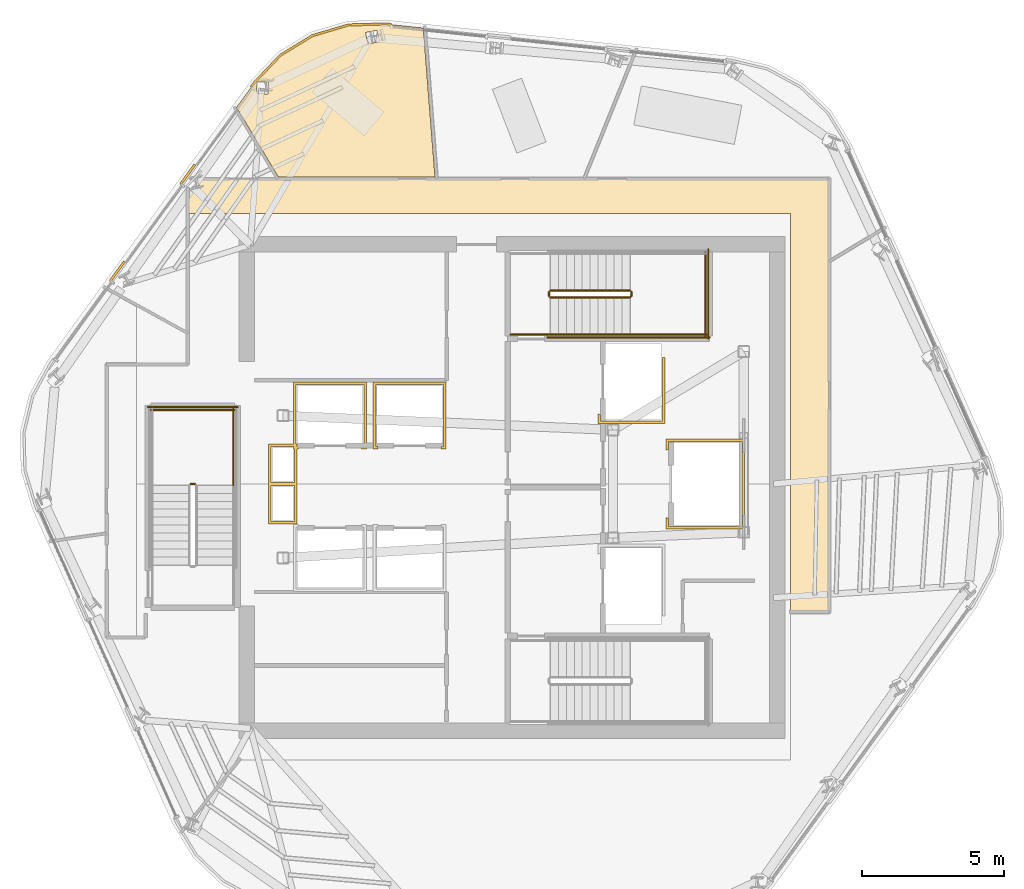
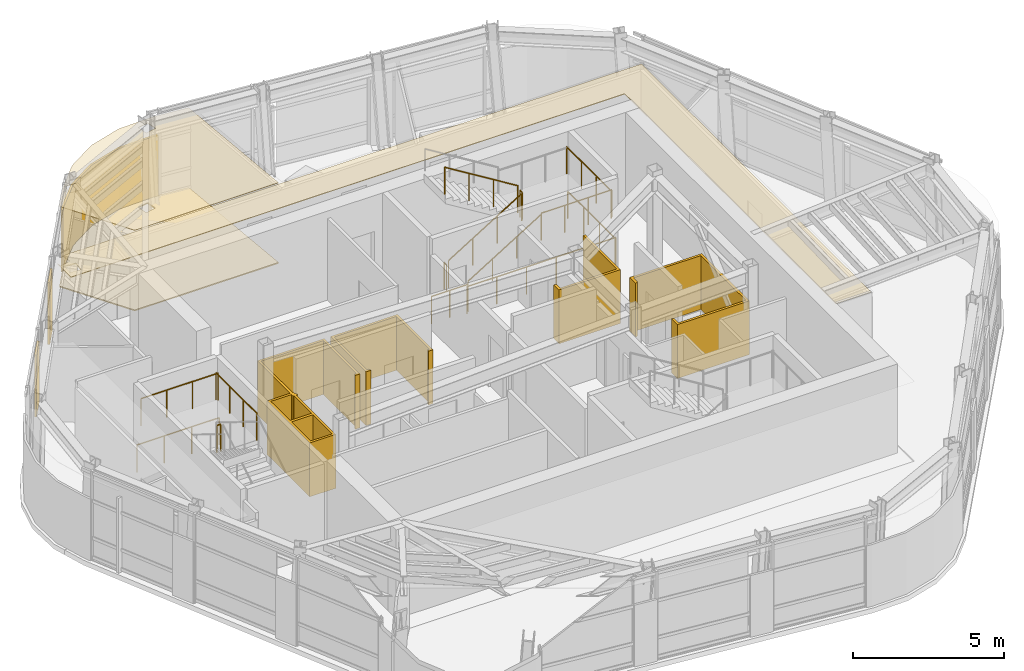
# One storey, part 10 of 12: 14 railings, 10 coverings.
"""IFC4 building model written with IfcOpenShell, lengths in metres."""

from ifc_helpers import new_model, si_unit, direction, frame, origin, origin_2d, place, context, subcontext, project, spatial, polyline, circle, outline, extrude, material, layer, layer_set, type_object, element, save


model = new_model("IFC4")

# Units and contexts
model_context = context("Model", 3, precision=1e-05, world=origin(), true_north=direction((0.0, 1.0)))
body_context = subcontext(model_context, "Body", "Model", "MODEL_VIEW")
ifc_project = project(units=[si_unit("LENGTHUNIT", "METRE"), si_unit("AREAUNIT", "SQUARE_METRE"), si_unit("VOLUMEUNIT", "CUBIC_METRE"), si_unit("PLANEANGLEUNIT", "RADIAN"), si_unit("MASSUNIT", "GRAM", prefix="KILO")], contexts=[model_context])

# Site, building, storey
site_placement = place(None, origin())
site = spatial("IfcSite", under=ifc_project, at=site_placement, CompositionType="ELEMENT")
building_placement = place(site_placement, origin())
building = spatial("IfcBuilding", under=site, at=building_placement, Name="Valkerne Bourse Tower", CompositionType="ELEMENT")
storey_placement = place(building_placement, frame((0.0, 0.0, 258.39990234375)))
storey = spatial("IfcBuildingStorey", under=building, at=storey_placement, Name="L65", CompositionType="ELEMENT", Elevation=258.39990234375)

# Coverings
ifc_material_1 = material(Name="Mineral Fiber Acoustic Ceiling Tile", Category="acoustic")
ifc_layer_1 = layer(ifc_material_1, 0.02490234375)
ifc_layer_set_1 = layer_set([ifc_layer_1], Name="Mineral Fiber Acoustic Ceiling Tile")
covering_type_1 = type_object("IfcCoveringType", Name="COV-CEIL-ACT", PredefinedType="CEILING", material=ifc_layer_set_1)
covering_1_placement = place(storey_placement, frame((0.0, 0.0, 3.25)))
element("IfcCovering", 1, at=covering_1_placement, inside=storey, type_object=covering_type_1, Name="L65 Suspended Ceiling 05", PredefinedType="CEILING", context=body_context, shape_type="SweptSolid", body=[
    extrude(outline(polyline([(39.78369140625, 42.7587890625), (41.048828125, 43.1337890625), (42.37744140625, 43.16845703125), (43.67919921875, 43.03173828125), (44.091796875, 37.7890625), (38.586181640625, 37.7890625), (37.114013671875, 40.239013671875), (37.74365234375, 41.10546875), (38.65869140625, 42.069580078125), (39.78369140625, 42.7587890625)]), holes=[polyline([(38.218994140625, 40.71044921875), (38.247802734375, 41.115966796875), (37.84033203125, 41.145751953125), (37.838134765625, 41.14453125), (37.8095703125, 40.739013671875), (38.217041015625, 40.709228515625), (38.218994140625, 40.71044921875)]), polyline([(42.132080078125, 42.549072265625), (42.0537109375, 42.95068359375), (41.655517578125, 42.873291015625), (41.653076171875, 42.87255859375), (41.7314453125, 42.470703125), (42.1298828125, 42.54833984375), (42.132080078125, 42.549072265625)])]), origin(), (0.0, 0.0, 1.0), 0.025146484375),
])
ifc_material_2 = material(Name="Bronze Anodised Aluminium AA 6063-T6", Category="aluminium")
ifc_layer_2 = layer(ifc_material_2, 0.030029296875)
ifc_layer_set_2 = layer_set([ifc_layer_2], Name="Bronze Anodised Aluminium AA 6063-T6")
covering_type_2 = type_object("IfcCoveringType", Name="COV-CEIL-METAL", PredefinedType="CEILING", material=ifc_layer_set_2)
covering_2_placement = place(storey_placement, frame((0.0, 0.0, 3.25)))
element("IfcCovering", 2, at=covering_2_placement, inside=storey, type_object=covering_type_2, Name="L65 Suspended Ceiling 01", PredefinedType="CEILING", context=body_context, shape_type="SweptSolid", body=[
    extrude(outline(polyline([(35.404052734375, 37.414306640625), (35.43505859375, 37.2490234375), (35.8369140625, 37.323486328125), (35.83837890625, 37.3251953125), (35.76513671875, 37.716064453125), (57.946044921875, 37.716064453125), (57.946044921875, 22.50390625), (56.60009765625, 22.50390625), (56.60009765625, 36.5), (35.404052734375, 36.5), (35.404052734375, 37.414306640625)])), origin(), (0.0, 0.0, 1.0), 0.025146484375),
])
ifc_layer_3 = layer(ifc_material_2, 0.06005859375)
ifc_layer_set_3 = layer_set([ifc_layer_3], Name="Bronze Anodised Aluminium AA 6063-T6")
covering_type_3 = type_object("IfcCoveringType", Name="COV-CRN-ALUM", PredefinedType="CLADDING", material=ifc_layer_set_3)
covering_3_placement = place(storey_placement, origin())
element("IfcCovering", 3, at=covering_3_placement, inside=storey, type_object=covering_type_3, Name="L65 Wind-Shaped Corner Aluminium Cladding 11", PredefinedType="CLADDING", context=body_context, shape_type="SweptSolid", body=[
    extrude(outline(polyline([(33.138427734375, 34.841796875), (33.203125, 34.794677734375), (32.70947265625, 34.114990234375), (32.644775390625, 34.162109375), (33.138427734375, 34.841796875)])), origin(), (0.0, 0.0, 1.0), 2.5),
])
covering_4_placement = place(storey_placement, origin())
element("IfcCovering", 4, at=covering_4_placement, inside=storey, type_object=covering_type_3, Name="L65 Wind-Shaped Corner Aluminium Cladding 12", PredefinedType="CLADDING", context=body_context, shape_type="SweptSolid", body=[
    extrude(outline(polyline([(35.6142578125, 38.249267578125), (35.678955078125, 38.2021484375), (35.185302734375, 37.522705078125), (35.12060546875, 37.569580078125), (35.6142578125, 38.249267578125)])), origin(), (0.0, 0.0, 1.0), 2.5),
])
covering_5_placement = place(storey_placement, origin())
element("IfcCovering", 5, at=covering_5_placement, inside=storey, type_object=covering_type_3, Name="L65 Wind-Shaped Corner Aluminium Cladding 13", PredefinedType="CLADDING", context=body_context, shape_type="SweptSolid", body=[
    extrude(outline(polyline([(37.709716796875, 41.133544921875), (38.630615234375, 42.10400390625), (39.765625, 42.799560546875), (41.0419921875, 43.177490234375), (42.37939453125, 43.212646484375), (42.5712890625, 43.1923828125), (42.56298828125, 43.11279296875), (42.376220703125, 43.132568359375), (41.0546875, 43.097900390625), (39.79833984375, 42.7255859375), (38.681396484375, 42.041259765625), (37.771484375, 41.08251953125), (37.660888671875, 40.930419921875), (37.59619140625, 40.977294921875), (37.709716796875, 41.133544921875)])), origin(), (0.0, 0.0, 1.0), 2.5),
])
ifc_material_3 = material(Name="Galvanised Painted Steel", Category="steel")
ifc_layer_4 = layer(ifc_material_3, 0.044921875)
ifc_layer_set_4 = layer_set([ifc_layer_4], Name="Galvanised Painted Steel")
covering_type_4 = type_object("IfcCoveringType", Name="COV-FLR-RAF", PredefinedType="FLOORING", material=ifc_layer_set_4)
covering_6_placement = place(storey_placement, origin())
element("IfcCovering", 6, at=covering_6_placement, inside=storey, type_object=covering_type_4, Name="L65 Floor Finish 05", PredefinedType="FLOORING", context=body_context, shape_type="SweptSolid", body=[
    extrude(outline(polyline([(39.78369140625, 42.7587890625), (41.048828125, 43.1337890625), (42.37744140625, 43.16845703125), (43.67919921875, 43.03173828125), (44.091796875, 37.7890625), (38.586181640625, 37.7890625), (37.114013671875, 40.239013671875), (37.74365234375, 41.10546875), (38.65869140625, 42.069580078125), (39.78369140625, 42.7587890625)]), holes=[polyline([(38.218994140625, 40.71044921875), (38.247802734375, 41.115966796875), (37.84033203125, 41.145751953125), (37.838134765625, 41.14453125), (37.8095703125, 40.739013671875), (38.217041015625, 40.709228515625), (38.218994140625, 40.71044921875)]), polyline([(42.132080078125, 42.549072265625), (42.0537109375, 42.95068359375), (41.655517578125, 42.873291015625), (41.653076171875, 42.87255859375), (41.7314453125, 42.470703125), (42.1298828125, 42.54833984375), (42.132080078125, 42.549072265625)])]), origin(), (0.0, 0.0, 1.0), 0.045166015625),
])
ifc_material_4 = material(Name="Gypsum Shaftwall Liner Board", Category="gypsum")
ifc_layer_5 = layer(ifc_material_4, 0.080078125)
ifc_layer_set_5 = layer_set([ifc_layer_5], Name="Gypsum Shaftwall Liner Board")
covering_type_5 = type_object("IfcCoveringType", Name="COV-SHF-CLAD", PredefinedType="CLADDING", material=ifc_layer_set_5)
covering_7_placement = place(storey_placement, origin())
element("IfcCovering", 7, at=covering_7_placement, inside=storey, type_object=covering_type_5, Name="L65 Hoistway & Riser Shaftwall Liner 04", PredefinedType="CLADDING", context=body_context, shape_type="SweptSolid", body=[
    extrude(outline(polyline([(38.239990234375, 27.0400390625), (38.239990234375, 28.409912109375), (39.1201171875, 28.409912109375), (39.1201171875, 30.580078125), (41.679931640625, 30.580078125), (41.679931640625, 28.219970703125), (41.500732421875, 28.219970703125), (41.511474609375, 28.26220703125), (41.517822265625, 28.305908203125), (41.51806640625, 28.31005859375), (41.590087890625, 28.31005859375), (41.590087890625, 30.489990234375), (39.2099609375, 30.489990234375), (39.2099609375, 28.409912109375), (39.239990234375, 28.409912109375), (39.239990234375, 28.31005859375), (39.281982421875, 28.31005859375), (39.2822265625, 28.305908203125), (39.28857421875, 28.26220703125), (39.29931640625, 28.219970703125), (39.239990234375, 28.219970703125), (39.239990234375, 27.0400390625), (39.239990234375, 26.9599609375), (39.239990234375, 25.590087890625), (38.239990234375, 25.590087890625), (38.239990234375, 26.9599609375), (38.239990234375, 27.0400390625)]), holes=[polyline([(39.14990234375, 26.949951171875), (38.330078125, 26.949951171875), (38.330078125, 25.679931640625), (39.14990234375, 25.679931640625), (39.14990234375, 26.949951171875)]), polyline([(39.14990234375, 28.219970703125), (39.1201171875, 28.219970703125), (39.1201171875, 28.320068359375), (38.330078125, 28.320068359375), (38.330078125, 27.050048828125), (39.14990234375, 27.050048828125), (39.14990234375, 28.219970703125)])]), origin(), (0.0, 0.0, 1.0), 2.18017578125),
])
covering_8_placement = place(storey_placement, origin())
element("IfcCovering", 8, at=covering_8_placement, inside=storey, type_object=covering_type_5, Name="L65 Hoistway & Riser Shaftwall Liner 05", PredefinedType="CLADDING", context=body_context, shape_type="SweptSolid", body=[
    extrude(outline(polyline([(54.97998046875, 28.580078125), (54.97998046875, 25.419921875), (52.219970703125, 25.419921875), (52.219970703125, 25.81787109375), (52.227783203125, 25.814208984375), (52.269287109375, 25.79931640625), (52.31005859375, 25.789306640625), (52.31005859375, 25.510009765625), (54.889892578125, 25.510009765625), (54.889892578125, 28.489990234375), (52.31005859375, 28.489990234375), (52.31005859375, 28.210693359375), (52.269287109375, 28.20068359375), (52.227783203125, 28.185791015625), (52.219970703125, 28.18212890625), (52.219970703125, 28.580078125), (54.97998046875, 28.580078125)])), origin(), (0.0, 0.0, 1.0), 2.18017578125),
])
covering_9_placement = place(storey_placement, origin())
element("IfcCovering", 9, at=covering_9_placement, inside=storey, type_object=covering_type_5, Name="L65 Hoistway & Riser Shaftwall Liner 06", PredefinedType="CLADDING", context=body_context, shape_type="SweptSolid", body=[
    extrude(outline(polyline([(44.47998046875, 28.219970703125), (44.30078125, 28.219970703125), (44.311279296875, 28.26220703125), (44.31787109375, 28.305908203125), (44.318115234375, 28.31005859375), (44.389892578125, 28.31005859375), (44.389892578125, 30.489990234375), (42.010009765625, 30.489990234375), (42.010009765625, 28.31005859375), (42.08203125, 28.31005859375), (42.082275390625, 28.305908203125), (42.088623046875, 28.26220703125), (42.09912109375, 28.219970703125), (41.919921875, 28.219970703125), (41.919921875, 30.580078125), (44.47998046875, 30.580078125), (44.47998046875, 28.219970703125)])), origin(), (0.0, 0.0, 1.0), 2.18017578125),
])
covering_10_placement = place(storey_placement, origin())
element("IfcCovering", 10, at=covering_10_placement, inside=storey, type_object=covering_type_5, Name="L65 Hoistway & Riser Shaftwall Liner 07", PredefinedType="CLADDING", context=body_context, shape_type="SweptSolid", body=[
    extrude(outline(polyline([(49.820068359375, 29.1201171875), (49.820068359375, 29.468017578125), (49.827880859375, 29.46435546875), (49.869384765625, 29.449462890625), (49.909912109375, 29.439208984375), (49.909912109375, 29.2099609375), (52.090087890625, 29.2099609375), (52.090087890625, 31.449951171875), (52.179931640625, 31.449951171875), (52.179931640625, 29.1201171875), (49.820068359375, 29.1201171875)])), origin(), (0.0, 0.0, 1.0), 2.18017578125),
])

# Railings
railing_type_1 = type_object("IfcRailingType", Name="RLG-ST-GUARD-1120", PredefinedType="GUARDRAIL", material=ifc_material_3)
railing_1_placement = place(storey_placement, frame((48.14990234375, 33.550048828125, 0.1728515625)))
element("IfcRailing", 11, at=railing_1_placement, inside=storey, type_object=railing_type_1, Name="L65 ST-2 stair guard 1", PredefinedType="GUARDRAIL", context=body_context, shape_type="SweptSolid", body=[
    extrude(circle(Radius=0.02392578125, at=origin_2d()), frame((0.0, 0.0, 1.09619140625), z_axis=(0.851089632645, 0.0, 0.525020415988), x_axis=(0.0, 1.0, 0.0)), (0.0, 0.0, 1.0), 3.2900390625),
    extrude(circle(Radius=0.02099609375, at=origin_2d()), origin(), (0.0, 0.0, 1.0), 1.072021484375),
    extrude(circle(Radius=0.02099609375, at=origin_2d()), frame((0.933349609375, 0.0, 0.57568359375)), (0.0, 0.0, 1.0), 1.072021484375),
    extrude(circle(Radius=0.02099609375, at=origin_2d()), frame((1.86669921875, 0.0, 1.151611328125)), (0.0, 0.0, 1.0), 1.072021484375),
    extrude(circle(Radius=0.02099609375, at=origin_2d()), frame((2.800048828125, 0.0, 1.727294921875)), (0.0, 0.0, 1.0), 1.072021484375),
])
railing_2_placement = place(storey_placement, frame((51.0, 33.60009765625, 1.900146484375)))
element("IfcRailing", 12, at=railing_2_placement, inside=storey, type_object=railing_type_1, Name="L65 ST-2 stair guard 2", PredefinedType="GUARDRAIL", context=body_context, shape_type="SweptSolid", body=[
    extrude(circle(Radius=0.02392578125, at=origin_2d()), frame((0.0, 0.0, 1.09619140625), z_axis=(0.0, 1.0, 0.0), x_axis=(-1.0, 0.0, 0.0)), (0.0, 0.0, 1.0), 0.14990234375),
    extrude(circle(Radius=0.02099609375, at=origin_2d()), origin(), (0.0, 0.0, 1.0), 1.072021484375),
    extrude(circle(Radius=0.02099609375, at=origin_2d()), frame((0.0, 0.14990234375, 0.0)), (0.0, 0.0, 1.0), 1.072021484375),
])
railing_3_placement = place(storey_placement, frame((50.949951171875, 32.25, 1.900146484375)))
element("IfcRailing", 13, at=railing_3_placement, inside=storey, type_object=railing_type_1, Name="L65 ST-2 stair guard 3", PredefinedType="GUARDRAIL", context=body_context, shape_type="SweptSolid", body=[
    extrude(circle(Radius=0.02392578125, at=origin_2d()), frame((0.0, 0.0, 1.09619140625), z_axis=(1.0, 0.0, 0.0), x_axis=(0.0, 1.0, 0.0)), (0.0, 0.0, 1.0), 2.699951171875),
    extrude(circle(Radius=0.02099609375, at=origin_2d()), origin(), (0.0, 0.0, 1.0), 1.072021484375),
    extrude(circle(Radius=0.02099609375, at=origin_2d()), frame((0.89990234375, 0.0, 0.0)), (0.0, 0.0, 1.0), 1.072021484375),
    extrude(circle(Radius=0.02099609375, at=origin_2d()), frame((1.800048828125, 0.0, 0.0)), (0.0, 0.0, 1.0), 1.072021484375),
    extrude(circle(Radius=0.02099609375, at=origin_2d()), frame((2.699951171875, 0.0, 0.0)), (0.0, 0.0, 1.0), 1.072021484375),
])
railing_4_placement = place(storey_placement, frame((53.60009765625, 32.199951171875, 1.900146484375)))
element("IfcRailing", 14, at=railing_4_placement, inside=storey, type_object=railing_type_1, Name="L65 ST-2 stair guard 5", PredefinedType="GUARDRAIL", context=body_context, shape_type="SweptSolid", body=[
    extrude(circle(Radius=0.02392578125, at=origin_2d()), frame((0.0, 0.0, 1.09619140625), z_axis=(0.0, 1.0, 0.0), x_axis=(-1.0, 0.0, 0.0)), (0.0, 0.0, 1.0), 2.949951171875),
    extrude(circle(Radius=0.02099609375, at=origin_2d()), origin(), (0.0, 0.0, 1.0), 1.072021484375),
    extrude(circle(Radius=0.02099609375, at=origin_2d()), frame((0.0, 0.9833984375, 0.0)), (0.0, 0.0, 1.0), 1.072021484375),
    extrude(circle(Radius=0.02099609375, at=origin_2d()), frame((0.0, 1.966552734375, 0.0)), (0.0, 0.0, 1.0), 1.072021484375),
    extrude(circle(Radius=0.02099609375, at=origin_2d()), frame((0.0, 2.949951171875, 0.0)), (0.0, 0.0, 1.0), 1.072021484375),
])
railing_5_placement = place(storey_placement, frame((50.949951171875, 33.800048828125, 2.07275390625)))
element("IfcRailing", 15, at=railing_5_placement, inside=storey, type_object=railing_type_1, Name="L65 ST-2 stair guard 6", PredefinedType="GUARDRAIL", context=body_context, shape_type="SweptSolid", body=[
    extrude(circle(Radius=0.02392578125, at=origin_2d()), frame((0.0, 0.0, 1.09619140625), z_axis=(-0.851089632645, 0.0, 0.525020415988), x_axis=(0.0, -1.0, 0.0)), (0.0, 0.0, 1.0), 3.2900390625),
    extrude(circle(Radius=0.02099609375, at=origin_2d()), origin(), (0.0, 0.0, 1.0), 1.072021484375),
    extrude(circle(Radius=0.02099609375, at=origin_2d()), frame((-0.933349609375, 0.0, 0.57568359375)), (0.0, 0.0, 1.0), 1.072021484375),
    extrude(circle(Radius=0.02099609375, at=origin_2d()), frame((-1.86669921875, 0.0, 1.151611328125)), (0.0, 0.0, 1.0), 1.072021484375),
    extrude(circle(Radius=0.02099609375, at=origin_2d()), frame((-2.800048828125, 0.0, 1.727294921875)), (0.0, 0.0, 1.0), 1.072021484375),
])
railing_6_placement = place(storey_placement, frame((48.10009765625, 33.60009765625, 0.0)))
element("IfcRailing", 16, at=railing_6_placement, inside=storey, type_object=railing_type_1, Name="L65 ST-2 stair guard 7", PredefinedType="GUARDRAIL", context=body_context, shape_type="SweptSolid", body=[
    extrude(circle(Radius=0.02392578125, at=origin_2d()), frame((0.0, 0.0, 1.09619140625), z_axis=(0.0, 1.0, 0.0), x_axis=(-1.0, 0.0, 0.0)), (0.0, 0.0, 1.0), 0.14990234375),
    extrude(circle(Radius=0.02099609375, at=origin_2d()), origin(), (0.0, 0.0, 1.0), 1.072021484375),
    extrude(circle(Radius=0.02099609375, at=origin_2d()), frame((0.0, 0.14990234375, 0.0)), (0.0, 0.0, 1.0), 1.072021484375),
])
railing_7_placement = place(storey_placement, frame((46.75, 32.25, 0.0)))
element("IfcRailing", 17, at=railing_7_placement, inside=storey, type_object=railing_type_1, Name="L65 ST-2 stair guard 8", PredefinedType="GUARDRAIL", context=body_context, shape_type="SweptSolid", body=[
    extrude(circle(Radius=0.02392578125, at=origin_2d()), frame((0.0, 0.0, 1.09619140625), z_axis=(1.0, 0.0, 0.0), x_axis=(0.0, 1.0, 0.0)), (0.0, 0.0, 1.0), 1.39990234375),
    extrude(circle(Radius=0.02099609375, at=origin_2d()), origin(), (0.0, 0.0, 1.0), 1.072021484375),
    extrude(circle(Radius=0.02099609375, at=origin_2d()), frame((0.699951171875, 0.0, 0.0)), (0.0, 0.0, 1.0), 1.072021484375),
    extrude(circle(Radius=0.02099609375, at=origin_2d()), frame((1.39990234375, 0.0, 0.0)), (0.0, 0.0, 1.0), 1.072021484375),
])
railing_8_placement = place(storey_placement, frame((48.050048828125, 32.14990234375, 0.0)))
element("IfcRailing", 18, at=railing_8_placement, inside=storey, type_object=railing_type_1, Name="L65 ST-2 stair guard 10", PredefinedType="GUARDRAIL", context=body_context, shape_type="SweptSolid", body=[
    extrude(circle(Radius=0.02392578125, at=origin_2d()), frame((0.0, 0.0, 1.09619140625), z_axis=(1.0, 0.0, 0.0), x_axis=(0.0, 1.0, 0.0)), (0.0, 0.0, 1.0), 5.699951171875),
    extrude(circle(Radius=0.02099609375, at=origin_2d()), origin(), (0.0, 0.0, 1.0), 1.072021484375),
    extrude(circle(Radius=0.02099609375, at=origin_2d()), frame((1.139892578125, 0.0, 0.0)), (0.0, 0.0, 1.0), 1.072021484375),
    extrude(circle(Radius=0.02099609375, at=origin_2d()), frame((2.280029296875, 0.0, 0.0)), (0.0, 0.0, 1.0), 1.072021484375),
    extrude(circle(Radius=0.02099609375, at=origin_2d()), frame((3.419921875, 0.0, 0.0)), (0.0, 0.0, 1.0), 1.072021484375),
    extrude(circle(Radius=0.02099609375, at=origin_2d()), frame((4.56005859375, 0.0, 0.0)), (0.0, 0.0, 1.0), 1.072021484375),
    extrude(circle(Radius=0.02099609375, at=origin_2d()), frame((5.699951171875, 0.0, 0.0)), (0.0, 0.0, 1.0), 1.072021484375),
])
railing_9_placement = place(storey_placement, frame((53.699951171875, 32.10009765625, 0.0)))
element("IfcRailing", 19, at=railing_9_placement, inside=storey, type_object=railing_type_1, Name="L65 ST-2 stair guard 12", PredefinedType="GUARDRAIL", context=body_context, shape_type="SweptSolid", body=[
    extrude(circle(Radius=0.02392578125, at=origin_2d()), frame((0.0, 0.0, 1.09619140625), z_axis=(0.0, 1.0, 0.0), x_axis=(-1.0, 0.0, 0.0)), (0.0, 0.0, 1.0), 3.14990234375),
    extrude(circle(Radius=0.02099609375, at=origin_2d()), origin(), (0.0, 0.0, 1.0), 1.072021484375),
    extrude(circle(Radius=0.02099609375, at=origin_2d()), frame((0.0, 1.050048828125, 0.0)), (0.0, 0.0, 1.0), 1.072021484375),
    extrude(circle(Radius=0.02099609375, at=origin_2d()), frame((0.0, 2.099853515625, 0.0)), (0.0, 0.0, 1.0), 1.072021484375),
    extrude(circle(Radius=0.02099609375, at=origin_2d()), frame((0.0, 3.14990234375, 0.0)), (0.0, 0.0, 1.0), 1.072021484375),
])
railing_10_placement = place(storey_placement, frame((35.64990234375, 27.0, 1.900146484375)))
element("IfcRailing", 20, at=railing_10_placement, inside=storey, type_object=railing_type_1, Name="L65 ST-3 stair guard 2", PredefinedType="GUARDRAIL", context=body_context, shape_type="SweptSolid", body=[
    extrude(circle(Radius=0.02392578125, at=origin_2d()), frame((0.0, 0.0, 1.09619140625), z_axis=(-1.0, 0.0, 0.0), x_axis=(0.0, -1.0, 0.0)), (0.0, 0.0, 1.0), 0.14990234375),
    extrude(circle(Radius=0.02099609375, at=origin_2d()), origin(), (0.0, 0.0, 1.0), 1.072021484375),
    extrude(circle(Radius=0.02099609375, at=origin_2d()), frame((-0.14990234375, 0.0, 0.0)), (0.0, 0.0, 1.0), 1.072021484375),
])
railing_11_placement = place(storey_placement, frame((37.0, 26.949951171875, 1.900146484375)))
element("IfcRailing", 21, at=railing_11_placement, inside=storey, type_object=railing_type_1, Name="L65 ST-3 stair guard 3", PredefinedType="GUARDRAIL", context=body_context, shape_type="SweptSolid", body=[
    extrude(circle(Radius=0.02392578125, at=origin_2d()), frame((0.0, 0.0, 1.09619140625), z_axis=(0.0, 1.0, 0.0), x_axis=(-1.0, 0.0, 0.0)), (0.0, 0.0, 1.0), 2.699951171875),
    extrude(circle(Radius=0.02099609375, at=origin_2d()), origin(), (0.0, 0.0, 1.0), 1.072021484375),
    extrude(circle(Radius=0.02099609375, at=origin_2d()), frame((0.0, 0.89990234375, 0.0)), (0.0, 0.0, 1.0), 1.072021484375),
    extrude(circle(Radius=0.02099609375, at=origin_2d()), frame((0.0, 1.800048828125, 0.0)), (0.0, 0.0, 1.0), 1.072021484375),
    extrude(circle(Radius=0.02099609375, at=origin_2d()), frame((0.0, 2.699951171875, 0.0)), (0.0, 0.0, 1.0), 1.072021484375),
])
railing_12_placement = place(storey_placement, frame((37.050048828125, 29.60009765625, 1.900146484375)))
element("IfcRailing", 22, at=railing_12_placement, inside=storey, type_object=railing_type_1, Name="L65 ST-3 stair guard 5", PredefinedType="GUARDRAIL", context=body_context, shape_type="SweptSolid", body=[
    extrude(circle(Radius=0.02392578125, at=origin_2d()), frame((0.0, 0.0, 1.09619140625), z_axis=(-1.0, 0.0, 0.0), x_axis=(0.0, -1.0, 0.0)), (0.0, 0.0, 1.0), 2.949951171875),
    extrude(circle(Radius=0.02099609375, at=origin_2d()), origin(), (0.0, 0.0, 1.0), 1.072021484375),
    extrude(circle(Radius=0.02099609375, at=origin_2d()), frame((-0.9833984375, 0.0, 0.0)), (0.0, 0.0, 1.0), 1.072021484375),
    extrude(circle(Radius=0.02099609375, at=origin_2d()), frame((-1.966552734375, 0.0, 0.0)), (0.0, 0.0, 1.0), 1.072021484375),
    extrude(circle(Radius=0.02099609375, at=origin_2d()), frame((-2.949951171875, 0.0, 0.0)), (0.0, 0.0, 1.0), 1.072021484375),
])
railing_13_placement = place(storey_placement, frame((37.14990234375, 29.699951171875, 0.0)))
element("IfcRailing", 23, at=railing_13_placement, inside=storey, type_object=railing_type_1, Name="L65 ST-3 stair guard 12", PredefinedType="GUARDRAIL", context=body_context, shape_type="SweptSolid", body=[
    extrude(circle(Radius=0.02392578125, at=origin_2d()), frame((0.0, 0.0, 1.09619140625), z_axis=(-1.0, 0.0, 0.0), x_axis=(0.0, -1.0, 0.0)), (0.0, 0.0, 1.0), 3.14990234375),
    extrude(circle(Radius=0.02099609375, at=origin_2d()), origin(), (0.0, 0.0, 1.0), 1.072021484375),
    extrude(circle(Radius=0.02099609375, at=origin_2d()), frame((-1.050048828125, 0.0, 0.0)), (0.0, 0.0, 1.0), 1.072021484375),
    extrude(circle(Radius=0.02099609375, at=origin_2d()), frame((-2.099853515625, 0.0, 0.0)), (0.0, 0.0, 1.0), 1.072021484375),
    extrude(circle(Radius=0.02099609375, at=origin_2d()), frame((-3.14990234375, 0.0, 0.0)), (0.0, 0.0, 1.0), 1.072021484375),
])
ifc_material_5 = material(Name="Stainless Steel AISI 316", Category="steel")
railing_type_2 = type_object("IfcRailingType", Name="RLG-ST-HANDRAIL-900", PredefinedType="HANDRAIL", material=ifc_material_5)
railing_14_placement = place(storey_placement, frame((48.14990234375, 32.25, 0.345458984375)))
element("IfcRailing", 24, at=railing_14_placement, inside=storey, type_object=railing_type_2, Name="L65 ST-2 stair handrail 1", PredefinedType="HANDRAIL", context=body_context, shape_type="SweptSolid", body=[
    extrude(circle(Radius=0.02392578125, at=origin_2d()), frame((0.0, 0.0, 0.8759765625), z_axis=(0.851089632645, 0.0, 0.525020415988), x_axis=(0.0, 1.0, 0.0)), (0.0, 0.0, 1.0), 3.2900390625),
    extrude(circle(Radius=0.02099609375, at=origin_2d()), origin(), (0.0, 0.0, 1.0), 0.851806640625),
    extrude(circle(Radius=0.02099609375, at=origin_2d()), frame((0.933349609375, 0.0, 0.57568359375)), (0.0, 0.0, 1.0), 0.851806640625),
    extrude(circle(Radius=0.02099609375, at=origin_2d()), frame((1.86669921875, 0.0, 1.151611328125)), (0.0, 0.0, 1.0), 0.851806640625),
    extrude(circle(Radius=0.02099609375, at=origin_2d()), frame((2.800048828125, 0.0, 1.727294921875)), (0.0, 0.0, 1.0), 0.851806640625),
])

save(model, "model.ifc")
